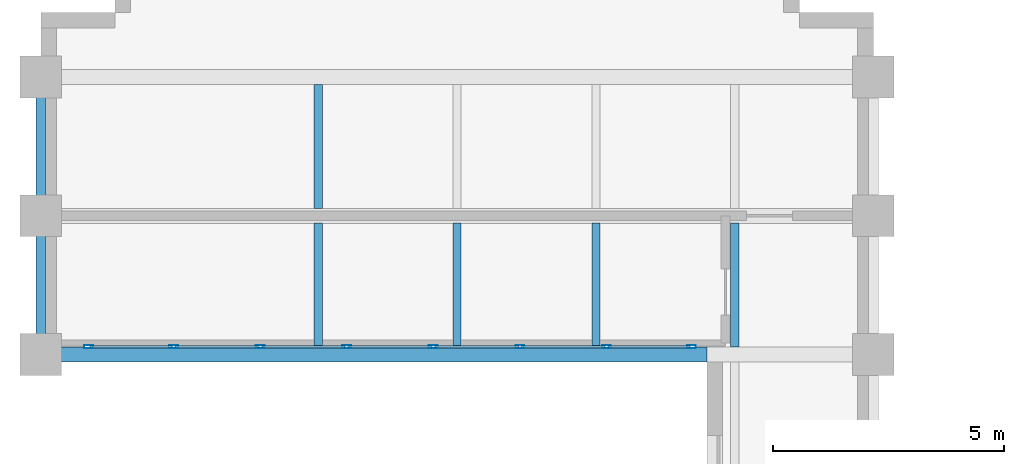
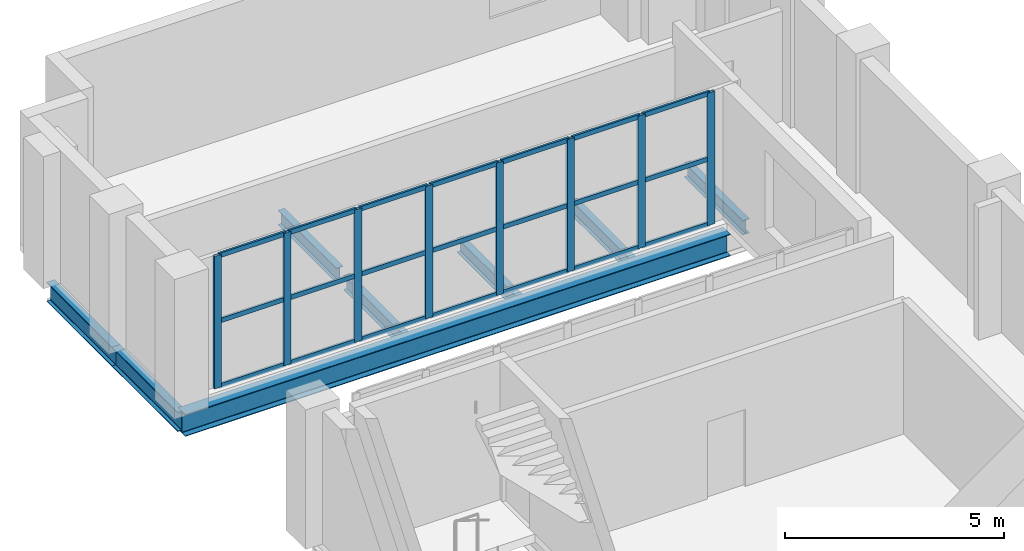
# One storey, part 4 of 9: 29 members, 8 beams, 1 element without a shape of its own.
"""IFC4 building model written with IfcOpenShell, lengths in metres."""

from ifc_helpers import new_model, si_unit, direction, frame, origin, origin_2d, place, context, subcontext, project, spatial, hollow_rectangle, i_section, extrude, material, layer, layer_set, material_profile, profile_set, type_object, element, aggregate, save


model = new_model("IFC4")

# Units and contexts
model_context = context("Model", 3, precision=1e-05, world=origin(), true_north=direction((0.0, 1.0)))
body_context = subcontext(model_context, "Body", "Model", "MODEL_VIEW")
ifc_project = project(units=[si_unit("LENGTHUNIT", "METRE"), si_unit("AREAUNIT", "SQUARE_METRE"), si_unit("VOLUMEUNIT", "CUBIC_METRE"), si_unit("PLANEANGLEUNIT", "RADIAN"), si_unit("MASSUNIT", "GRAM", prefix="KILO")], contexts=[model_context])

# Site, building, storey
site_placement = place(None, origin())
site = spatial("IfcSite", under=ifc_project, at=site_placement, CompositionType="ELEMENT")
building_placement = place(site_placement, origin())
building = spatial("IfcBuilding", under=site, at=building_placement, Name="Mawjdan Bourse Tower", CompositionType="ELEMENT")
storey_placement = place(building_placement, frame((0.0, 0.0, 195.60009765625)))
storey = spatial("IfcBuildingStorey", under=building, at=storey_placement, Name="L47", CompositionType="ELEMENT", Elevation=195.60009765625)

# Beams
ifc_material_1 = material(Name="Structural Steel S355", Category="steel")
ifc_material_profile_1 = material_profile(ifc_material_1, i_section(OverallWidth=0.324951171875, OverallDepth=0.616943359375, WebThickness=0.013916015625, FlangeThickness=0.021484375, FilletRadius=0.017333984375, at=origin_2d()), Name="W24X117")
ifc_profile_set_1 = profile_set([ifc_material_profile_1], Name="Structural Steel S355")
beam_type_1 = type_object("IfcBeamType", Name="GRD-W24X117", PredefinedType="BEAM", material=ifc_profile_set_1)
beam_placement = place(storey_placement, frame((6.0, 36.0, -0.508544921875), z_axis=(1.0, 0.0, 0.0), x_axis=(0.0, 1.0, 0.0)))
element("IfcBeam", 1, at=beam_placement, inside=storey, type_object=beam_type_1, Name="L47 North Wing Clear-Span Girder 050", PredefinedType="BEAM", context=body_context, shape_type="SweptSolid", body=[
    extrude(i_section(OverallWidth=0.324951171875, OverallDepth=0.616943359375, WebThickness=0.013916015625, FlangeThickness=0.021484375, FilletRadius=0.017333984375, at=origin_2d()), origin(), (0.0, 0.0, 1.0), 14.39990234375),
])
ifc_material_profile_2 = material_profile(ifc_material_1, i_section(OverallWidth=0.177978515625, OverallDepth=0.406982421875, WebThickness=0.0078125, FlangeThickness=0.0126953125, FilletRadius=0.01025390625, at=origin_2d()), Name="W16X40")
ifc_profile_set_2 = profile_set([ifc_material_profile_2], Name="Structural Steel S355")
beam_type_2 = type_object("IfcBeamType", Name="JST-W16X40", PredefinedType="JOIST", material=ifc_profile_set_2)
for number, where, z_axis, x_axis, name in (
    (2, (12.0, 36.160400390625, -0.403564453125), (0.0, 1.0, 0.0), (-1.0, 0.0, 0.0), "L47 North Wing Composite Joist 065"),
    (3, (12.0, 39.160400390625, -0.403564453125), (0.0, 1.0, 0.0), (-1.0, 0.0, 0.0), "L47 North Wing Composite Joist 066"),
    (4, (15.0, 36.160400390625, -0.403564453125), (0.0, 1.0, 0.0), (-1.0, 0.0, 0.0), "L47 North Wing Composite Joist 069"),
    (5, (18.0, 36.160400390625, -0.403564453125), (0.0, 1.0, 0.0), (-1.0, 0.0, 0.0), "L47 North Wing Composite Joist 073"),
    (6, (21.0, 36.160400390625, -0.403564453125), (0.0, 1.0, 0.0), (-1.0, 0.0, 0.0), "L47 North Wing Composite Joist 078"),
):
    element("IfcBeam", number, at=place(storey_placement, frame(where, z_axis=z_axis, x_axis=x_axis)), inside=storey, type_object=beam_type_2, Name=name, PredefinedType="JOIST", context=body_context, shape_type="SweptSolid", body=[
        extrude(i_section(OverallWidth=0.177978515625, OverallDepth=0.406982421875, WebThickness=0.0078125, FlangeThickness=0.0126953125, FilletRadius=0.01025390625, at=origin_2d()), origin(), (0.0, 0.0, 1.0), 2.67919921875),
    ])

# Curtain wall, members
ifc_material_2 = material(Name="Thermally Broken Aluminium and Solar Glass", Category="aluminium")
ifc_layer = layer(ifc_material_2, 0.219970703125)
ifc_layer_set = layer_set([ifc_layer], Name="Thermally Broken Aluminium and Solar Glass")
curtain_wall_type = type_object("IfcCurtainWallType", Name="CW-POR", PredefinedType="USERDEFINED", material=ifc_layer_set)
curtain_wall_placement = place(storey_placement, origin())
curtain_wall = element("IfcCurtainWall", 7, at=curtain_wall_placement, inside=storey, type_object=curtain_wall_type, Name="L47 North Void Portal Glazed Cheek 14", ObjectType="VOID PORTAL CURTAIN WALL", PredefinedType="USERDEFINED")
ifc_material_3 = material(Name="Thermally Broken Anodised Aluminium", Category="aluminium")
ifc_material_profile_3 = material_profile(ifc_material_3, hollow_rectangle(XDim=0.070068359375, YDim=0.18994140625, WallThickness=0.00439453125, at=origin_2d()), Name="ALU-MUL-190X70")
ifc_profile_set_3 = profile_set([ifc_material_profile_3], Name="Thermally Broken Anodised Aluminium")
member_type_1 = type_object("IfcMemberType", Name="MUL-ALU-MUL-190X70", PredefinedType="MULLION", material=ifc_profile_set_3)
member_1_placement = place(storey_placement, frame((7.034912109375, 36.169921875, 0.0), z_axis=(0.0, 0.0, 1.0), x_axis=(0.0, 1.0, 0.0)))
member_1 = element("IfcMember", 8, at=member_1_placement, type_object=member_type_1, Name="CW-POR-L47-POR-N14 mullion 1", PredefinedType="MULLION", context=body_context, shape_type="SweptSolid", body=[
    extrude(hollow_rectangle(XDim=0.070068359375, YDim=0.18994140625, WallThickness=0.00439453125, at=origin_2d()), origin(), (0.0, 0.0, 1.0), 3.699951171875),
])
member_2_placement = place(storey_placement, frame((8.871337890625, 36.169921875, 0.0), z_axis=(0.0, 0.0, 1.0), x_axis=(0.0, 1.0, 0.0)))
member_2 = element("IfcMember", 9, at=member_2_placement, type_object=member_type_1, Name="CW-POR-L47-POR-N14 mullion 2", PredefinedType="MULLION", context=body_context, shape_type="SweptSolid", body=[
    extrude(hollow_rectangle(XDim=0.070068359375, YDim=0.18994140625, WallThickness=0.00439453125, at=origin_2d()), origin(), (0.0, 0.0, 1.0), 3.699951171875),
])
member_3_placement = place(storey_placement, frame((10.742919921875, 36.169921875, 0.0), z_axis=(0.0, 0.0, 1.0), x_axis=(0.0, 1.0, 0.0)))
member_3 = element("IfcMember", 10, at=member_3_placement, type_object=member_type_1, Name="CW-POR-L47-POR-N14 mullion 3", PredefinedType="MULLION", context=body_context, shape_type="SweptSolid", body=[
    extrude(hollow_rectangle(XDim=0.070068359375, YDim=0.18994140625, WallThickness=0.00439453125, at=origin_2d()), origin(), (0.0, 0.0, 1.0), 3.699951171875),
])
member_4_placement = place(storey_placement, frame((12.6142578125, 36.169921875, 0.0), z_axis=(0.0, 0.0, 1.0), x_axis=(0.0, 1.0, 0.0)))
member_4 = element("IfcMember", 11, at=member_4_placement, type_object=member_type_1, Name="CW-POR-L47-POR-N14 mullion 4", PredefinedType="MULLION", context=body_context, shape_type="SweptSolid", body=[
    extrude(hollow_rectangle(XDim=0.070068359375, YDim=0.18994140625, WallThickness=0.00439453125, at=origin_2d()), origin(), (0.0, 0.0, 1.0), 3.699951171875),
])
member_5_placement = place(storey_placement, frame((14.485595703125, 36.169921875, 0.0), z_axis=(0.0, 0.0, 1.0), x_axis=(0.0, 1.0, 0.0)))
member_5 = element("IfcMember", 12, at=member_5_placement, type_object=member_type_1, Name="CW-POR-L47-POR-N14 mullion 5", PredefinedType="MULLION", context=body_context, shape_type="SweptSolid", body=[
    extrude(hollow_rectangle(XDim=0.070068359375, YDim=0.18994140625, WallThickness=0.00439453125, at=origin_2d()), origin(), (0.0, 0.0, 1.0), 3.699951171875),
])
member_6_placement = place(storey_placement, frame((16.357177734375, 36.169921875, 0.0), z_axis=(0.0, 0.0, 1.0), x_axis=(0.0, 1.0, 0.0)))
member_6 = element("IfcMember", 13, at=member_6_placement, type_object=member_type_1, Name="CW-POR-L47-POR-N14 mullion 6", PredefinedType="MULLION", context=body_context, shape_type="SweptSolid", body=[
    extrude(hollow_rectangle(XDim=0.070068359375, YDim=0.18994140625, WallThickness=0.00439453125, at=origin_2d()), origin(), (0.0, 0.0, 1.0), 3.699951171875),
])
member_7_placement = place(storey_placement, frame((18.228515625, 36.169921875, 0.0), z_axis=(0.0, 0.0, 1.0), x_axis=(0.0, 1.0, 0.0)))
member_7 = element("IfcMember", 14, at=member_7_placement, type_object=member_type_1, Name="CW-POR-L47-POR-N14 mullion 7", PredefinedType="MULLION", context=body_context, shape_type="SweptSolid", body=[
    extrude(hollow_rectangle(XDim=0.070068359375, YDim=0.18994140625, WallThickness=0.00439453125, at=origin_2d()), origin(), (0.0, 0.0, 1.0), 3.699951171875),
])
member_8_placement = place(storey_placement, frame((20.06494140625, 36.169921875, 0.0), z_axis=(0.0, 0.0, 1.0), x_axis=(0.0, 1.0, 0.0)))
member_8 = element("IfcMember", 15, at=member_8_placement, type_object=member_type_1, Name="CW-POR-L47-POR-N14 mullion 8", PredefinedType="MULLION", context=body_context, shape_type="SweptSolid", body=[
    extrude(hollow_rectangle(XDim=0.070068359375, YDim=0.18994140625, WallThickness=0.00439453125, at=origin_2d()), origin(), (0.0, 0.0, 1.0), 3.699951171875),
])

# Beams
ifc_material_profile_4 = material_profile(ifc_material_1, i_section(OverallWidth=0.2119140625, OverallDepth=0.5439453125, WebThickness=0.01318359375, FlangeThickness=0.021240234375, FilletRadius=0.01708984375, at=origin_2d()), Name="W21X83")
ifc_profile_set_4 = profile_set([ifc_material_profile_4], Name="Structural Steel S355")
beam_type_3 = type_object("IfcBeamType", Name="SPN-W21X83", PredefinedType="SPANDREL", material=ifc_profile_set_4)
for number, where, z_axis, x_axis, name in (
    (16, (6.0, 36.0, -0.47216796875), (0.0, 1.0, 0.0), (-1.0, 0.0, 0.0), "L47 North Wing Spandrel 056"),
    (17, (6.0, 39.0, -0.47216796875), (0.0, 1.0, 0.0), (-1.0, 0.0, 0.0), "L47 North Wing Spandrel 057"),
):
    element("IfcBeam", number, at=place(storey_placement, frame(where, z_axis=z_axis, x_axis=x_axis)), inside=storey, type_object=beam_type_3, Name=name, PredefinedType="SPANDREL", context=body_context, shape_type="SweptSolid", body=[
        extrude(i_section(OverallWidth=0.2119140625, OverallDepth=0.5439453125, WebThickness=0.01318359375, FlangeThickness=0.021240234375, FilletRadius=0.01708984375, at=origin_2d()), origin(), (0.0, 0.0, 1.0), 3.0),
    ])

# Member
ifc_material_profile_5 = material_profile(ifc_material_3, hollow_rectangle(XDim=0.054931640625, YDim=0.1298828125, WallThickness=0.00341796875, at=origin_2d()), Name="ALU-TRN-130X55")
ifc_profile_set_5 = profile_set([ifc_material_profile_5], Name="Thermally Broken Anodised Aluminium")
member_type_2 = type_object("IfcMemberType", Name="TRN-ALU-TRN-130X55", PredefinedType="USERDEFINED", material=ifc_profile_set_5)
member_9_placement = place(storey_placement, frame((7.070068359375, 36.169921875, 0.02734375), z_axis=(1.0, 0.0, 0.0), x_axis=(0.0, 1.0, 0.0)))
member_9 = element("IfcMember", 18, at=member_9_placement, type_object=member_type_2, Name="CW-POR-L47-POR-N14 transom 1.1", ObjectType="TRANSOM", PredefinedType="USERDEFINED", context=body_context, shape_type="SweptSolid", body=[
    extrude(hollow_rectangle(XDim=0.054931640625, YDim=0.1298828125, WallThickness=0.00341796875, at=origin_2d()), origin(), (0.0, 0.0, 1.0), 1.766357421875),
])

member_10_placement = place(storey_placement, frame((7.070068359375, 36.169921875, 1.849853515625), z_axis=(1.0, 0.0, 0.0), x_axis=(0.0, 1.0, 0.0)))
member_10 = element("IfcMember", 19, at=member_10_placement, type_object=member_type_2, Name="CW-POR-L47-POR-N14 transom 1.2", ObjectType="TRANSOM", PredefinedType="USERDEFINED", context=body_context, shape_type="SweptSolid", body=[
    extrude(hollow_rectangle(XDim=0.054931640625, YDim=0.1298828125, WallThickness=0.00341796875, at=origin_2d()), origin(), (0.0, 0.0, 1.0), 1.766357421875),
])

member_11_placement = place(storey_placement, frame((7.070068359375, 36.169921875, 3.67236328125), z_axis=(1.0, 0.0, 0.0), x_axis=(0.0, 1.0, 0.0)))
member_11 = element("IfcMember", 20, at=member_11_placement, type_object=member_type_2, Name="CW-POR-L47-POR-N14 transom 1.3", ObjectType="TRANSOM", PredefinedType="USERDEFINED", context=body_context, shape_type="SweptSolid", body=[
    extrude(hollow_rectangle(XDim=0.054931640625, YDim=0.1298828125, WallThickness=0.00341796875, at=origin_2d()), origin(), (0.0, 0.0, 1.0), 1.766357421875),
])

member_12_placement = place(storey_placement, frame((8.906494140625, 36.169921875, 0.02734375), z_axis=(1.0, 0.0, 0.0), x_axis=(0.0, 1.0, 0.0)))
member_12 = element("IfcMember", 21, at=member_12_placement, type_object=member_type_2, Name="CW-POR-L47-POR-N14 transom 2.1", ObjectType="TRANSOM", PredefinedType="USERDEFINED", context=body_context, shape_type="SweptSolid", body=[
    extrude(hollow_rectangle(XDim=0.054931640625, YDim=0.1298828125, WallThickness=0.00341796875, at=origin_2d()), origin(), (0.0, 0.0, 1.0), 1.80126953125),
])

member_13_placement = place(storey_placement, frame((8.906494140625, 36.169921875, 1.849853515625), z_axis=(1.0, 0.0, 0.0), x_axis=(0.0, 1.0, 0.0)))
member_13 = element("IfcMember", 22, at=member_13_placement, type_object=member_type_2, Name="CW-POR-L47-POR-N14 transom 2.2", ObjectType="TRANSOM", PredefinedType="USERDEFINED", context=body_context, shape_type="SweptSolid", body=[
    extrude(hollow_rectangle(XDim=0.054931640625, YDim=0.1298828125, WallThickness=0.00341796875, at=origin_2d()), origin(), (0.0, 0.0, 1.0), 1.80126953125),
])

member_14_placement = place(storey_placement, frame((8.906494140625, 36.169921875, 3.67236328125), z_axis=(1.0, 0.0, 0.0), x_axis=(0.0, 1.0, 0.0)))
member_14 = element("IfcMember", 23, at=member_14_placement, type_object=member_type_2, Name="CW-POR-L47-POR-N14 transom 2.3", ObjectType="TRANSOM", PredefinedType="USERDEFINED", context=body_context, shape_type="SweptSolid", body=[
    extrude(hollow_rectangle(XDim=0.054931640625, YDim=0.1298828125, WallThickness=0.00341796875, at=origin_2d()), origin(), (0.0, 0.0, 1.0), 1.80126953125),
])

member_15_placement = place(storey_placement, frame((10.77783203125, 36.169921875, 0.02734375), z_axis=(1.0, 0.0, 0.0), x_axis=(0.0, 1.0, 0.0)))
member_15 = element("IfcMember", 24, at=member_15_placement, type_object=member_type_2, Name="CW-POR-L47-POR-N14 transom 3.1", ObjectType="TRANSOM", PredefinedType="USERDEFINED", context=body_context, shape_type="SweptSolid", body=[
    extrude(hollow_rectangle(XDim=0.054931640625, YDim=0.1298828125, WallThickness=0.00341796875, at=origin_2d()), origin(), (0.0, 0.0, 1.0), 1.801513671875),
])

member_16_placement = place(storey_placement, frame((10.77783203125, 36.169921875, 1.849853515625), z_axis=(1.0, 0.0, 0.0), x_axis=(0.0, 1.0, 0.0)))
member_16 = element("IfcMember", 25, at=member_16_placement, type_object=member_type_2, Name="CW-POR-L47-POR-N14 transom 3.2", ObjectType="TRANSOM", PredefinedType="USERDEFINED", context=body_context, shape_type="SweptSolid", body=[
    extrude(hollow_rectangle(XDim=0.054931640625, YDim=0.1298828125, WallThickness=0.00341796875, at=origin_2d()), origin(), (0.0, 0.0, 1.0), 1.801513671875),
])

member_17_placement = place(storey_placement, frame((10.77783203125, 36.169921875, 3.67236328125), z_axis=(1.0, 0.0, 0.0), x_axis=(0.0, 1.0, 0.0)))
member_17 = element("IfcMember", 26, at=member_17_placement, type_object=member_type_2, Name="CW-POR-L47-POR-N14 transom 3.3", ObjectType="TRANSOM", PredefinedType="USERDEFINED", context=body_context, shape_type="SweptSolid", body=[
    extrude(hollow_rectangle(XDim=0.054931640625, YDim=0.1298828125, WallThickness=0.00341796875, at=origin_2d()), origin(), (0.0, 0.0, 1.0), 1.801513671875),
])

member_18_placement = place(storey_placement, frame((12.649169921875, 36.169921875, 0.02734375), z_axis=(1.0, 0.0, 0.0), x_axis=(0.0, 1.0, 0.0)))
member_18 = element("IfcMember", 27, at=member_18_placement, type_object=member_type_2, Name="CW-POR-L47-POR-N14 transom 4.1", ObjectType="TRANSOM", PredefinedType="USERDEFINED", context=body_context, shape_type="SweptSolid", body=[
    extrude(hollow_rectangle(XDim=0.054931640625, YDim=0.1298828125, WallThickness=0.00341796875, at=origin_2d()), origin(), (0.0, 0.0, 1.0), 1.801513671875),
])

member_19_placement = place(storey_placement, frame((12.649169921875, 36.169921875, 1.849853515625), z_axis=(1.0, 0.0, 0.0), x_axis=(0.0, 1.0, 0.0)))
member_19 = element("IfcMember", 28, at=member_19_placement, type_object=member_type_2, Name="CW-POR-L47-POR-N14 transom 4.2", ObjectType="TRANSOM", PredefinedType="USERDEFINED", context=body_context, shape_type="SweptSolid", body=[
    extrude(hollow_rectangle(XDim=0.054931640625, YDim=0.1298828125, WallThickness=0.00341796875, at=origin_2d()), origin(), (0.0, 0.0, 1.0), 1.801513671875),
])

member_20_placement = place(storey_placement, frame((12.649169921875, 36.169921875, 3.67236328125), z_axis=(1.0, 0.0, 0.0), x_axis=(0.0, 1.0, 0.0)))
member_20 = element("IfcMember", 29, at=member_20_placement, type_object=member_type_2, Name="CW-POR-L47-POR-N14 transom 4.3", ObjectType="TRANSOM", PredefinedType="USERDEFINED", context=body_context, shape_type="SweptSolid", body=[
    extrude(hollow_rectangle(XDim=0.054931640625, YDim=0.1298828125, WallThickness=0.00341796875, at=origin_2d()), origin(), (0.0, 0.0, 1.0), 1.801513671875),
])

member_21_placement = place(storey_placement, frame((14.520751953125, 36.169921875, 0.02734375), z_axis=(1.0, 0.0, 0.0), x_axis=(0.0, 1.0, 0.0)))
member_21 = element("IfcMember", 30, at=member_21_placement, type_object=member_type_2, Name="CW-POR-L47-POR-N14 transom 5.1", ObjectType="TRANSOM", PredefinedType="USERDEFINED", context=body_context, shape_type="SweptSolid", body=[
    extrude(hollow_rectangle(XDim=0.054931640625, YDim=0.1298828125, WallThickness=0.00341796875, at=origin_2d()), origin(), (0.0, 0.0, 1.0), 1.80126953125),
])

member_22_placement = place(storey_placement, frame((14.520751953125, 36.169921875, 1.849853515625), z_axis=(1.0, 0.0, 0.0), x_axis=(0.0, 1.0, 0.0)))
member_22 = element("IfcMember", 31, at=member_22_placement, type_object=member_type_2, Name="CW-POR-L47-POR-N14 transom 5.2", ObjectType="TRANSOM", PredefinedType="USERDEFINED", context=body_context, shape_type="SweptSolid", body=[
    extrude(hollow_rectangle(XDim=0.054931640625, YDim=0.1298828125, WallThickness=0.00341796875, at=origin_2d()), origin(), (0.0, 0.0, 1.0), 1.80126953125),
])

member_23_placement = place(storey_placement, frame((14.520751953125, 36.169921875, 3.67236328125), z_axis=(1.0, 0.0, 0.0), x_axis=(0.0, 1.0, 0.0)))
member_23 = element("IfcMember", 32, at=member_23_placement, type_object=member_type_2, Name="CW-POR-L47-POR-N14 transom 5.3", ObjectType="TRANSOM", PredefinedType="USERDEFINED", context=body_context, shape_type="SweptSolid", body=[
    extrude(hollow_rectangle(XDim=0.054931640625, YDim=0.1298828125, WallThickness=0.00341796875, at=origin_2d()), origin(), (0.0, 0.0, 1.0), 1.80126953125),
])

member_24_placement = place(storey_placement, frame((16.39208984375, 36.169921875, 0.02734375), z_axis=(1.0, 0.0, 0.0), x_axis=(0.0, 1.0, 0.0)))
member_24 = element("IfcMember", 33, at=member_24_placement, type_object=member_type_2, Name="CW-POR-L47-POR-N14 transom 6.1", ObjectType="TRANSOM", PredefinedType="USERDEFINED", context=body_context, shape_type="SweptSolid", body=[
    extrude(hollow_rectangle(XDim=0.054931640625, YDim=0.1298828125, WallThickness=0.00341796875, at=origin_2d()), origin(), (0.0, 0.0, 1.0), 1.801513671875),
])

member_25_placement = place(storey_placement, frame((16.39208984375, 36.169921875, 1.849853515625), z_axis=(1.0, 0.0, 0.0), x_axis=(0.0, 1.0, 0.0)))
member_25 = element("IfcMember", 34, at=member_25_placement, type_object=member_type_2, Name="CW-POR-L47-POR-N14 transom 6.2", ObjectType="TRANSOM", PredefinedType="USERDEFINED", context=body_context, shape_type="SweptSolid", body=[
    extrude(hollow_rectangle(XDim=0.054931640625, YDim=0.1298828125, WallThickness=0.00341796875, at=origin_2d()), origin(), (0.0, 0.0, 1.0), 1.801513671875),
])

member_26_placement = place(storey_placement, frame((16.39208984375, 36.169921875, 3.67236328125), z_axis=(1.0, 0.0, 0.0), x_axis=(0.0, 1.0, 0.0)))
member_26 = element("IfcMember", 35, at=member_26_placement, type_object=member_type_2, Name="CW-POR-L47-POR-N14 transom 6.3", ObjectType="TRANSOM", PredefinedType="USERDEFINED", context=body_context, shape_type="SweptSolid", body=[
    extrude(hollow_rectangle(XDim=0.054931640625, YDim=0.1298828125, WallThickness=0.00341796875, at=origin_2d()), origin(), (0.0, 0.0, 1.0), 1.801513671875),
])

member_27_placement = place(storey_placement, frame((18.263671875, 36.169921875, 0.02734375), z_axis=(1.0, 0.0, 0.0), x_axis=(0.0, 1.0, 0.0)))
member_27 = element("IfcMember", 36, at=member_27_placement, type_object=member_type_2, Name="CW-POR-L47-POR-N14 transom 7.1", ObjectType="TRANSOM", PredefinedType="USERDEFINED", context=body_context, shape_type="SweptSolid", body=[
    extrude(hollow_rectangle(XDim=0.054931640625, YDim=0.1298828125, WallThickness=0.00341796875, at=origin_2d()), origin(), (0.0, 0.0, 1.0), 1.766357421875),
])

member_28_placement = place(storey_placement, frame((18.263671875, 36.169921875, 1.849853515625), z_axis=(1.0, 0.0, 0.0), x_axis=(0.0, 1.0, 0.0)))
member_28 = element("IfcMember", 37, at=member_28_placement, type_object=member_type_2, Name="CW-POR-L47-POR-N14 transom 7.2", ObjectType="TRANSOM", PredefinedType="USERDEFINED", context=body_context, shape_type="SweptSolid", body=[
    extrude(hollow_rectangle(XDim=0.054931640625, YDim=0.1298828125, WallThickness=0.00341796875, at=origin_2d()), origin(), (0.0, 0.0, 1.0), 1.766357421875),
])

member_29_placement = place(storey_placement, frame((18.263671875, 36.169921875, 3.67236328125), z_axis=(1.0, 0.0, 0.0), x_axis=(0.0, 1.0, 0.0)))
member_29 = element("IfcMember", 38, at=member_29_placement, type_object=member_type_2, Name="CW-POR-L47-POR-N14 transom 7.3", ObjectType="TRANSOM", PredefinedType="USERDEFINED", context=body_context, shape_type="SweptSolid", body=[
    extrude(hollow_rectangle(XDim=0.054931640625, YDim=0.1298828125, WallThickness=0.00341796875, at=origin_2d()), origin(), (0.0, 0.0, 1.0), 1.766357421875),
])

aggregate(curtain_wall, [member_1, member_2, member_3, member_4, member_5, member_6, member_7, member_8, member_9, member_10, member_11, member_12, member_13, member_14, member_15, member_16, member_17, member_18, member_19, member_20, member_21, member_22, member_23, member_24, member_25, member_26, member_27, member_28, member_29])

save(model, "model.ifc")
